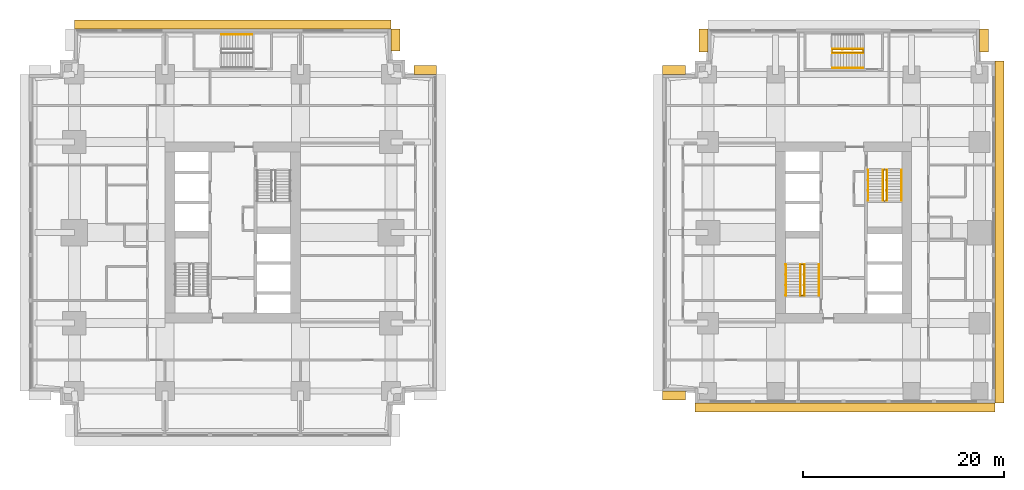
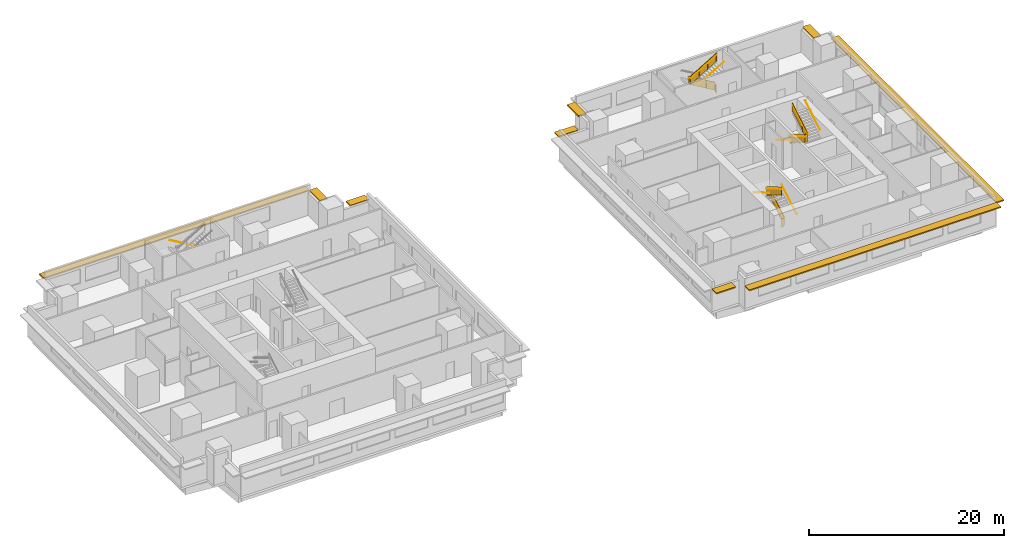
# One storey, part 10 of 11: 15 railings, 9 shading devices.
"""IFC4 building model written with IfcOpenShell, lengths in metres."""

from ifc_helpers import new_model, si_unit, direction, frame, origin, origin_2d, place, context, subcontext, project, spatial, polyline, rectangle, circle, outline, extrude, material, layer, layer_set, type_object, element, save


model = new_model("IFC4")

# Units and contexts
model_context = context("Model", 3, precision=1e-05, world=origin(), true_north=direction((0.0, 1.0)))
body_context = subcontext(model_context, "Body", "Model", "MODEL_VIEW")
ifc_project = project(units=[si_unit("LENGTHUNIT", "METRE"), si_unit("AREAUNIT", "SQUARE_METRE"), si_unit("VOLUMEUNIT", "CUBIC_METRE"), si_unit("PLANEANGLEUNIT", "RADIAN"), si_unit("MASSUNIT", "GRAM", prefix="KILO")], contexts=[model_context])

# Site, building, storey
site_placement = place(None, origin())
site = spatial("IfcSite", under=ifc_project, at=site_placement, CompositionType="ELEMENT")
building_placement = place(site_placement, origin())
building = spatial("IfcBuilding", under=site, at=building_placement, Name="Namib Vertical Campus", CompositionType="ELEMENT")
storey_placement = place(building_placement, frame((0.0, 0.0, 89.0)))
storey = spatial("IfcBuildingStorey", under=building, at=storey_placement, Name="L20", CompositionType="ELEMENT", Elevation=89.0)

# Railings
ifc_material_1 = material(Name="Steel handrail", Category="steel")
railing_type_1 = type_object("IfcRailingType", Name="Handrail 900", PredefinedType="HANDRAIL", material=ifc_material_1)
railing_1_placement = place(storey_placement, frame((78.550048828125, 14.0, 0.166748046875)))
element("IfcRailing", 1, at=railing_1_placement, inside=storey, type_object=railing_type_1, Name="Handrail HR1 B-S1 L20 1", PredefinedType="HANDRAIL", context=body_context, shape_type="SweptSolid", body=[
    extrude(circle(Radius=0.02392578125, at=origin_2d()), frame((0.0, 0.0, 0.8759765625), z_axis=(0.0, 0.859308565015, 0.511457515432), x_axis=(-1.0, 0.0, 0.0)), (0.0, 0.0, 1.0), 3.58447265625),
    extrude(circle(Radius=0.008056640625, at=origin_2d()), frame((0.0, 0.0, 0.8759765625), z_axis=(1.0, 0.0, 0.0), x_axis=(0.0, 0.0, 1.0)), (0.0, 0.0, 1.0), 0.050048828125),
    extrude(circle(Radius=0.008056640625, at=origin_2d()), frame((0.0, 1.026611328125, 1.48681640625), z_axis=(1.0, 0.0, 0.0), x_axis=(0.0, 0.0, 1.0)), (0.0, 0.0, 1.0), 0.050048828125),
    extrude(circle(Radius=0.008056640625, at=origin_2d()), frame((0.0, 2.053466796875, 2.09814453125), z_axis=(1.0, 0.0, 0.0), x_axis=(0.0, 0.0, 1.0)), (0.0, 0.0, 1.0), 0.050048828125),
    extrude(circle(Radius=0.008056640625, at=origin_2d()), frame((0.0, 3.080078125, 2.708984375), z_axis=(1.0, 0.0, 0.0), x_axis=(0.0, 0.0, 1.0)), (0.0, 0.0, 1.0), 0.050048828125),
])
railing_2_placement = place(storey_placement, frame((75.25, 17.080078125, 2.166748046875)))
element("IfcRailing", 2, at=railing_2_placement, inside=storey, type_object=railing_type_1, Name="Handrail HR1 B-S1 L20 2", PredefinedType="HANDRAIL", context=body_context, shape_type="SweptSolid", body=[
    extrude(circle(Radius=0.02392578125, at=origin_2d()), frame((0.0, 0.0, 0.8759765625), z_axis=(0.0, -0.859308565015, 0.511457515432), x_axis=(1.0, 0.0, 0.0)), (0.0, 0.0, 1.0), 3.58447265625),
    extrude(circle(Radius=0.008056640625, at=origin_2d()), frame((0.0, 0.0, 0.8759765625), z_axis=(-1.0, 0.0, 0.0), x_axis=(0.0, 0.0, 1.0)), (0.0, 0.0, 1.0), 0.050048828125),
    extrude(circle(Radius=0.008056640625, at=origin_2d()), frame((0.0, -1.026611328125, 1.48681640625), z_axis=(-1.0, 0.0, 0.0), x_axis=(0.0, 0.0, 1.0)), (0.0, 0.0, 1.0), 0.050048828125),
    extrude(circle(Radius=0.008056640625, at=origin_2d()), frame((0.0, -2.053466796875, 2.09814453125), z_axis=(-1.0, 0.0, 0.0), x_axis=(0.0, 0.0, 1.0)), (0.0, 0.0, 1.0), 0.050048828125),
    extrude(circle(Radius=0.008056640625, at=origin_2d()), frame((0.0, -3.080078125, 2.708984375), z_axis=(-1.0, 0.0, 0.0), x_axis=(0.0, 0.0, 1.0)), (0.0, 0.0, 1.0), 0.050048828125),
])
railing_3_placement = place(storey_placement, frame((77.10009765625, 14.0, 0.166748046875)))
element("IfcRailing", 3, at=railing_3_placement, inside=storey, type_object=railing_type_1, Name="Handrail HR1 B-S1 L20 1 at the well", PredefinedType="HANDRAIL", context=body_context, shape_type="SweptSolid", body=[
    extrude(circle(Radius=0.02392578125, at=origin_2d()), frame((0.0, 0.0, 0.8759765625), z_axis=(0.0, 0.859308565015, 0.511457515432), x_axis=(-1.0, 0.0, 0.0)), (0.0, 0.0, 1.0), 3.58447265625),
    extrude(circle(Radius=0.008056640625, at=origin_2d()), frame((0.0, 0.0, 0.8759765625), z_axis=(-1.0, 0.0, 0.0), x_axis=(0.0, 0.0, 1.0)), (0.0, 0.0, 1.0), 0.0400390625),
    extrude(circle(Radius=0.008056640625, at=origin_2d()), frame((0.0, 1.026611328125, 1.48681640625), z_axis=(-1.0, 0.0, 0.0), x_axis=(0.0, 0.0, 1.0)), (0.0, 0.0, 1.0), 0.0400390625),
    extrude(circle(Radius=0.008056640625, at=origin_2d()), frame((0.0, 2.053466796875, 2.09814453125), z_axis=(-1.0, 0.0, 0.0), x_axis=(0.0, 0.0, 1.0)), (0.0, 0.0, 1.0), 0.0400390625),
    extrude(circle(Radius=0.008056640625, at=origin_2d()), frame((0.0, 3.080078125, 2.708984375), z_axis=(-1.0, 0.0, 0.0), x_axis=(0.0, 0.0, 1.0)), (0.0, 0.0, 1.0), 0.0400390625),
])
railing_4_placement = place(storey_placement, frame((76.699951171875, 17.080078125, 2.166748046875)))
element("IfcRailing", 4, at=railing_4_placement, inside=storey, type_object=railing_type_1, Name="Handrail HR1 B-S1 L20 2 at the well", PredefinedType="HANDRAIL", context=body_context, shape_type="SweptSolid", body=[
    extrude(circle(Radius=0.02392578125, at=origin_2d()), frame((0.0, 0.0, 0.8759765625), z_axis=(0.0, -0.859308565015, 0.511457515432), x_axis=(1.0, 0.0, 0.0)), (0.0, 0.0, 1.0), 3.58447265625),
    extrude(circle(Radius=0.008056640625, at=origin_2d()), frame((0.0, 0.0, 0.8759765625), z_axis=(1.0, 0.0, 0.0), x_axis=(0.0, 0.0, 1.0)), (0.0, 0.0, 1.0), 0.0400390625),
    extrude(circle(Radius=0.008056640625, at=origin_2d()), frame((0.0, -1.026611328125, 1.48681640625), z_axis=(1.0, 0.0, 0.0), x_axis=(0.0, 0.0, 1.0)), (0.0, 0.0, 1.0), 0.0400390625),
    extrude(circle(Radius=0.008056640625, at=origin_2d()), frame((0.0, -2.053466796875, 2.09814453125), z_axis=(1.0, 0.0, 0.0), x_axis=(0.0, 0.0, 1.0)), (0.0, 0.0, 1.0), 0.0400390625),
    extrude(circle(Radius=0.008056640625, at=origin_2d()), frame((0.0, -3.080078125, 2.708984375), z_axis=(1.0, 0.0, 0.0), x_axis=(0.0, 0.0, 1.0)), (0.0, 0.0, 1.0), 0.0400390625),
])
railing_5_placement = place(storey_placement, frame((83.449951171875, 26.5, 0.166748046875)))
element("IfcRailing", 5, at=railing_5_placement, inside=storey, type_object=railing_type_1, Name="Handrail HR1 B-S2 L20 1", PredefinedType="HANDRAIL", context=body_context, shape_type="SweptSolid", body=[
    extrude(circle(Radius=0.02392578125, at=origin_2d()), frame((0.0, 0.0, 0.8759765625), z_axis=(0.0, -0.859308565015, 0.511457515432), x_axis=(1.0, 0.0, 0.0)), (0.0, 0.0, 1.0), 3.58447265625),
    extrude(circle(Radius=0.008056640625, at=origin_2d()), frame((0.0, 0.0, 0.8759765625), z_axis=(-1.0, 0.0, 0.0), x_axis=(0.0, 0.0, 1.0)), (0.0, 0.0, 1.0), 0.050048828125),
    extrude(circle(Radius=0.008056640625, at=origin_2d()), frame((0.0, -1.026611328125, 1.48681640625), z_axis=(-1.0, 0.0, 0.0), x_axis=(0.0, 0.0, 1.0)), (0.0, 0.0, 1.0), 0.050048828125),
    extrude(circle(Radius=0.008056640625, at=origin_2d()), frame((0.0, -2.053466796875, 2.09814453125), z_axis=(-1.0, 0.0, 0.0), x_axis=(0.0, 0.0, 1.0)), (0.0, 0.0, 1.0), 0.050048828125),
    extrude(circle(Radius=0.008056640625, at=origin_2d()), frame((0.0, -3.080078125, 2.708984375), z_axis=(-1.0, 0.0, 0.0), x_axis=(0.0, 0.0, 1.0)), (0.0, 0.0, 1.0), 0.050048828125),
])
railing_6_placement = place(storey_placement, frame((86.75, 23.419921875, 2.166748046875)))
element("IfcRailing", 6, at=railing_6_placement, inside=storey, type_object=railing_type_1, Name="Handrail HR1 B-S2 L20 2", PredefinedType="HANDRAIL", context=body_context, shape_type="SweptSolid", body=[
    extrude(circle(Radius=0.02392578125, at=origin_2d()), frame((0.0, 0.0, 0.8759765625), z_axis=(0.0, 0.859308565015, 0.511457515432), x_axis=(-1.0, 0.0, 0.0)), (0.0, 0.0, 1.0), 3.58447265625),
    extrude(circle(Radius=0.008056640625, at=origin_2d()), frame((0.0, 0.0, 0.8759765625), z_axis=(1.0, 0.0, 0.0), x_axis=(0.0, 0.0, 1.0)), (0.0, 0.0, 1.0), 0.050048828125),
    extrude(circle(Radius=0.008056640625, at=origin_2d()), frame((0.0, 1.026611328125, 1.48681640625), z_axis=(1.0, 0.0, 0.0), x_axis=(0.0, 0.0, 1.0)), (0.0, 0.0, 1.0), 0.050048828125),
    extrude(circle(Radius=0.008056640625, at=origin_2d()), frame((0.0, 2.053466796875, 2.09814453125), z_axis=(1.0, 0.0, 0.0), x_axis=(0.0, 0.0, 1.0)), (0.0, 0.0, 1.0), 0.050048828125),
    extrude(circle(Radius=0.008056640625, at=origin_2d()), frame((0.0, 3.080078125, 2.708984375), z_axis=(1.0, 0.0, 0.0), x_axis=(0.0, 0.0, 1.0)), (0.0, 0.0, 1.0), 0.050048828125),
])
railing_7_placement = place(storey_placement, frame((84.89990234375, 26.5, 0.166748046875)))
element("IfcRailing", 7, at=railing_7_placement, inside=storey, type_object=railing_type_1, Name="Handrail HR1 B-S2 L20 1 at the well", PredefinedType="HANDRAIL", context=body_context, shape_type="SweptSolid", body=[
    extrude(circle(Radius=0.02392578125, at=origin_2d()), frame((0.0, 0.0, 0.8759765625), z_axis=(0.0, -0.859308565015, 0.511457515432), x_axis=(1.0, 0.0, 0.0)), (0.0, 0.0, 1.0), 3.58447265625),
    extrude(circle(Radius=0.008056640625, at=origin_2d()), frame((0.0, 0.0, 0.8759765625), z_axis=(1.0, 0.0, 0.0), x_axis=(0.0, 0.0, 1.0)), (0.0, 0.0, 1.0), 0.0400390625),
    extrude(circle(Radius=0.008056640625, at=origin_2d()), frame((0.0, -1.026611328125, 1.48681640625), z_axis=(1.0, 0.0, 0.0), x_axis=(0.0, 0.0, 1.0)), (0.0, 0.0, 1.0), 0.0400390625),
    extrude(circle(Radius=0.008056640625, at=origin_2d()), frame((0.0, -2.053466796875, 2.09814453125), z_axis=(1.0, 0.0, 0.0), x_axis=(0.0, 0.0, 1.0)), (0.0, 0.0, 1.0), 0.0400390625),
    extrude(circle(Radius=0.008056640625, at=origin_2d()), frame((0.0, -3.080078125, 2.708984375), z_axis=(1.0, 0.0, 0.0), x_axis=(0.0, 0.0, 1.0)), (0.0, 0.0, 1.0), 0.0400390625),
])
railing_8_placement = place(storey_placement, frame((85.300048828125, 23.419921875, 2.166748046875)))
element("IfcRailing", 8, at=railing_8_placement, inside=storey, type_object=railing_type_1, Name="Handrail HR1 B-S2 L20 2 at the well", PredefinedType="HANDRAIL", context=body_context, shape_type="SweptSolid", body=[
    extrude(circle(Radius=0.02392578125, at=origin_2d()), frame((0.0, 0.0, 0.8759765625), z_axis=(0.0, 0.859308565015, 0.511457515432), x_axis=(-1.0, 0.0, 0.0)), (0.0, 0.0, 1.0), 3.58447265625),
    extrude(circle(Radius=0.008056640625, at=origin_2d()), frame((0.0, 0.0, 0.8759765625), z_axis=(-1.0, 0.0, 0.0), x_axis=(0.0, 0.0, 1.0)), (0.0, 0.0, 1.0), 0.0400390625),
    extrude(circle(Radius=0.008056640625, at=origin_2d()), frame((0.0, 1.026611328125, 1.48681640625), z_axis=(-1.0, 0.0, 0.0), x_axis=(0.0, 0.0, 1.0)), (0.0, 0.0, 1.0), 0.0400390625),
    extrude(circle(Radius=0.008056640625, at=origin_2d()), frame((0.0, 2.053466796875, 2.09814453125), z_axis=(-1.0, 0.0, 0.0), x_axis=(0.0, 0.0, 1.0)), (0.0, 0.0, 1.0), 0.0400390625),
    extrude(circle(Radius=0.008056640625, at=origin_2d()), frame((0.0, 3.080078125, 2.708984375), z_axis=(-1.0, 0.0, 0.0), x_axis=(0.0, 0.0, 1.0)), (0.0, 0.0, 1.0), 0.0400390625),
])
railing_9_placement = place(storey_placement, frame((22.199951171875, 39.949951171875, 0.166748046875)))
element("IfcRailing", 9, at=railing_9_placement, inside=storey, type_object=railing_type_1, Name="Handrail HR1 A-S3 L20 1", PredefinedType="HANDRAIL", context=body_context, shape_type="SweptSolid", body=[
    extrude(circle(Radius=0.02392578125, at=origin_2d()), frame((0.0, 0.0, 0.8759765625), z_axis=(-0.859290745958, 0.0, 0.51148745235), x_axis=(0.0, -1.0, 0.0)), (0.0, 0.0, 1.0), 3.584228515625),
    extrude(circle(Radius=0.008056640625, at=origin_2d()), frame((0.0, 0.0, 0.8759765625), z_axis=(0.0, 1.0, 0.0), x_axis=(0.0, 0.0, 1.0)), (0.0, 0.0, 1.0), 0.050048828125),
    extrude(circle(Radius=0.008056640625, at=origin_2d()), frame((-1.026611328125, 0.0, 1.48681640625), z_axis=(0.0, 1.0, 0.0), x_axis=(0.0, 0.0, 1.0)), (0.0, 0.0, 1.0), 0.050048828125),
    extrude(circle(Radius=0.008056640625, at=origin_2d()), frame((-2.05322265625, 0.0, 2.09814453125), z_axis=(0.0, 1.0, 0.0), x_axis=(0.0, 0.0, 1.0)), (0.0, 0.0, 1.0), 0.050048828125),
    extrude(circle(Radius=0.008056640625, at=origin_2d()), frame((-3.079833984375, 0.0, 2.708984375), z_axis=(0.0, 1.0, 0.0), x_axis=(0.0, 0.0, 1.0)), (0.0, 0.0, 1.0), 0.050048828125),
])
railing_10_placement = place(storey_placement, frame((79.8701171875, 36.64990234375, 2.166748046875)))
element("IfcRailing", 10, at=railing_10_placement, inside=storey, type_object=railing_type_1, Name="Handrail HR1 B-S3 L20 2", PredefinedType="HANDRAIL", context=body_context, shape_type="SweptSolid", body=[
    extrude(circle(Radius=0.02392578125, at=origin_2d()), frame((0.0, 0.0, 0.8759765625), z_axis=(0.859290745958, 0.0, 0.51148745235), x_axis=(0.0, 1.0, 0.0)), (0.0, 0.0, 1.0), 3.584228515625),
    extrude(circle(Radius=0.008056640625, at=origin_2d()), frame((0.0, 0.0, 0.8759765625), z_axis=(0.0, -1.0, 0.0), x_axis=(0.0, 0.0, 1.0)), (0.0, 0.0, 1.0), 0.050048828125),
    extrude(circle(Radius=0.008056640625, at=origin_2d()), frame((1.026611328125, 0.0, 1.48681640625), z_axis=(0.0, -1.0, 0.0), x_axis=(0.0, 0.0, 1.0)), (0.0, 0.0, 1.0), 0.050048828125),
    extrude(circle(Radius=0.008056640625, at=origin_2d()), frame((2.05322265625, 0.0, 2.09814453125), z_axis=(0.0, -1.0, 0.0), x_axis=(0.0, 0.0, 1.0)), (0.0, 0.0, 1.0), 0.050048828125),
    extrude(circle(Radius=0.008056640625, at=origin_2d()), frame((3.079833984375, 0.0, 2.708984375), z_axis=(0.0, -1.0, 0.0), x_axis=(0.0, 0.0, 1.0)), (0.0, 0.0, 1.0), 0.050048828125),
])
railing_11_placement = place(storey_placement, frame((82.949951171875, 38.5, 0.166748046875)))
element("IfcRailing", 11, at=railing_11_placement, inside=storey, type_object=railing_type_1, Name="Handrail HR1 B-S3 L20 1 at the well", PredefinedType="HANDRAIL", context=body_context, shape_type="SweptSolid", body=[
    extrude(circle(Radius=0.02392578125, at=origin_2d()), frame((0.0, 0.0, 0.8759765625), z_axis=(-0.859290745958, 0.0, 0.51148745235), x_axis=(0.0, -1.0, 0.0)), (0.0, 0.0, 1.0), 3.584228515625),
    extrude(circle(Radius=0.008056640625, at=origin_2d()), frame((0.0, 0.0, 0.8759765625), z_axis=(0.0, -1.0, 0.0), x_axis=(0.0, 0.0, 1.0)), (0.0, 0.0, 1.0), 0.0400390625),
    extrude(circle(Radius=0.008056640625, at=origin_2d()), frame((-1.026611328125, 0.0, 1.48681640625), z_axis=(0.0, -1.0, 0.0), x_axis=(0.0, 0.0, 1.0)), (0.0, 0.0, 1.0), 0.0400390625),
    extrude(circle(Radius=0.008056640625, at=origin_2d()), frame((-2.05322265625, 0.0, 2.09814453125), z_axis=(0.0, -1.0, 0.0), x_axis=(0.0, 0.0, 1.0)), (0.0, 0.0, 1.0), 0.0400390625),
    extrude(circle(Radius=0.008056640625, at=origin_2d()), frame((-3.079833984375, 0.0, 2.708984375), z_axis=(0.0, -1.0, 0.0), x_axis=(0.0, 0.0, 1.0)), (0.0, 0.0, 1.0), 0.0400390625),
])
railing_12_placement = place(storey_placement, frame((79.8701171875, 38.10009765625, 2.166748046875)))
element("IfcRailing", 12, at=railing_12_placement, inside=storey, type_object=railing_type_1, Name="Handrail HR1 B-S3 L20 2 at the well", PredefinedType="HANDRAIL", context=body_context, shape_type="SweptSolid", body=[
    extrude(circle(Radius=0.02392578125, at=origin_2d()), frame((0.0, 0.0, 0.8759765625), z_axis=(0.859290745958, 0.0, 0.51148745235), x_axis=(0.0, 1.0, 0.0)), (0.0, 0.0, 1.0), 3.584228515625),
    extrude(circle(Radius=0.008056640625, at=origin_2d()), frame((0.0, 0.0, 0.8759765625), z_axis=(0.0, 1.0, 0.0), x_axis=(0.0, 0.0, 1.0)), (0.0, 0.0, 1.0), 0.0400390625),
    extrude(circle(Radius=0.008056640625, at=origin_2d()), frame((1.026611328125, 0.0, 1.48681640625), z_axis=(0.0, 1.0, 0.0), x_axis=(0.0, 0.0, 1.0)), (0.0, 0.0, 1.0), 0.0400390625),
    extrude(circle(Radius=0.008056640625, at=origin_2d()), frame((2.05322265625, 0.0, 2.09814453125), z_axis=(0.0, 1.0, 0.0), x_axis=(0.0, 0.0, 1.0)), (0.0, 0.0, 1.0), 0.0400390625),
    extrude(circle(Radius=0.008056640625, at=origin_2d()), frame((3.079833984375, 0.0, 2.708984375), z_axis=(0.0, 1.0, 0.0), x_axis=(0.0, 0.0, 1.0)), (0.0, 0.0, 1.0), 0.0400390625),
])
ifc_material_2 = material(Name="Steel balustrade", Category="steel")
railing_type_2 = type_object("IfcRailingType", Name="Stair guard 1100", PredefinedType="GUARDRAIL", material=ifc_material_2)
railing_13_placement = place(storey_placement, frame((76.75, 14.0, 0.0)))
element("IfcRailing", 13, at=railing_13_placement, inside=storey, type_object=railing_type_2, Name="Stair guard GR1 B-S1 L20", PredefinedType="GUARDRAIL", context=body_context, shape_type="SweptSolid", body=[
    extrude(circle(Radius=0.02392578125, at=origin_2d()), frame((0.0, 0.0, 1.076171875), z_axis=(1.0, 0.0, 0.0), x_axis=(0.0, 1.0, 0.0)), (0.0, 0.0, 1.0), 0.300048828125),
    extrude(outline(polyline([(0.02099609375, 0.050048828125), (0.279052734375, 0.050048828125), (0.279052734375, 1.052001953125), (0.02099609375, 1.052001953125), (0.02099609375, 0.050048828125)])), frame((0.0, 0.010009765625, 0.0), z_axis=(0.0, -1.0, 0.0), x_axis=(1.0, 0.0, 0.0)), (0.0, 0.0, 1.0), 0.02001953125),
    extrude(circle(Radius=0.02392578125, at=origin_2d()), frame((0.300048828125, 0.0, 1.076171875), z_axis=(0.0, 0.0, 1.0), x_axis=(1.0, 0.0, 0.0)), (0.0, 0.0, 1.0), 0.166748046875),
    extrude(circle(Radius=0.02392578125, at=origin_2d()), frame((0.300048828125, 0.0, 1.24267578125), z_axis=(0.0, 0.859308565015, 0.511457515432), x_axis=(-1.0, 0.0, 0.0)), (0.0, 0.0, 1.0), 3.58447265625),
    extrude(outline(polyline([(0.02099609375, 0.0625), (3.05908203125, 1.870849609375), (3.05908203125, 2.872802734375), (0.02099609375, 1.064453125), (0.02099609375, 0.0625)])), frame((0.2900390625, 0.0, 0.166748046875), z_axis=(1.0, 0.0, 0.0), x_axis=(0.0, 1.0, 0.0)), (0.0, 0.0, 1.0), 0.02001953125),
    extrude(circle(Radius=0.02392578125, at=origin_2d()), frame((0.300048828125, 3.080078125, 3.076171875), z_axis=(-1.0, 0.0, 0.0), x_axis=(0.0, -1.0, 0.0)), (0.0, 0.0, 1.0), 0.300048828125),
    extrude(outline(polyline([(0.02099609375, 0.050048828125), (0.279052734375, 0.050048828125), (0.279052734375, 1.052001953125), (0.02099609375, 1.052001953125), (0.02099609375, 0.050048828125)])), frame((0.300048828125, 3.070068359375, 2.0), z_axis=(0.0, 1.0, 0.0), x_axis=(-1.0, 0.0, 0.0)), (0.0, 0.0, 1.0), 0.02001953125),
    extrude(circle(Radius=0.02392578125, at=origin_2d()), frame((0.0, 3.080078125, 3.076171875), z_axis=(0.0, 0.0, 1.0), x_axis=(1.0, 0.0, 0.0)), (0.0, 0.0, 1.0), 0.166748046875),
    extrude(circle(Radius=0.02392578125, at=origin_2d()), frame((0.0, 3.080078125, 3.24267578125), z_axis=(0.0, -0.859308565015, 0.511457515432), x_axis=(1.0, 0.0, 0.0)), (0.0, 0.0, 1.0), 3.58447265625),
    extrude(outline(polyline([(0.02099609375, 0.0625), (3.05908203125, 1.870849609375), (3.05908203125, 2.872802734375), (0.02099609375, 1.064453125), (0.02099609375, 0.0625)])), frame((0.010009765625, 3.080078125, 2.166748046875), z_axis=(-1.0, 0.0, 0.0), x_axis=(0.0, -1.0, 0.0)), (0.0, 0.0, 1.0), 0.02001953125),
    extrude(circle(Radius=0.02392578125, at=origin_2d()), frame((0.0, 0.0, 5.076171875), z_axis=(0.0, -1.0, 0.0), x_axis=(1.0, 0.0, 0.0)), (0.0, 0.0, 1.0), 0.050048828125),
    extrude(outline(polyline([(0.02099609375, 0.050048828125), (0.029052734375, 0.050048828125), (0.029052734375, 1.052001953125), (0.02099609375, 1.052001953125), (0.02099609375, 0.050048828125)])), frame((0.010009765625, 0.0, 4.0), z_axis=(-1.0, 0.0, 0.0), x_axis=(0.0, -1.0, 0.0)), (0.0, 0.0, 1.0), 0.02001953125),
    extrude(circle(Radius=0.02099609375, at=origin_2d()), origin(), (0.0, 0.0, 1.0), 1.052001953125),
    extrude(circle(Radius=0.02099609375, at=origin_2d()), frame((0.300048828125, 0.0, 0.166748046875)), (0.0, 0.0, 1.0), 1.052001953125),
    extrude(circle(Radius=0.02099609375, at=origin_2d()), frame((0.300048828125, 1.026611328125, 0.666748046875)), (0.0, 0.0, 1.0), 1.1630859375),
    extrude(circle(Radius=0.02099609375, at=origin_2d()), frame((0.300048828125, 2.053466796875, 1.33349609375)), (0.0, 0.0, 1.0), 1.107421875),
    extrude(circle(Radius=0.02099609375, at=origin_2d()), frame((0.300048828125, 3.080078125, 2.0)), (0.0, 0.0, 1.0), 1.052001953125),
    extrude(circle(Radius=0.02099609375, at=origin_2d()), frame((0.0, 3.080078125, 2.166748046875)), (0.0, 0.0, 1.0), 1.052001953125),
    extrude(circle(Radius=0.02099609375, at=origin_2d()), frame((0.0, 2.053466796875, 2.666748046875)), (0.0, 0.0, 1.0), 1.1630859375),
    extrude(circle(Radius=0.02099609375, at=origin_2d()), frame((0.0, 1.026611328125, 3.33349609375)), (0.0, 0.0, 1.0), 1.107421875),
    extrude(circle(Radius=0.02099609375, at=origin_2d()), frame((0.0, 0.0, 4.0)), (0.0, 0.0, 1.0), 1.052001953125),
    extrude(circle(Radius=0.02099609375, at=origin_2d()), frame((0.0, -0.050048828125, 4.0)), (0.0, 0.0, 1.0), 1.052001953125),
])
railing_14_placement = place(storey_placement, frame((85.25, 26.5, 0.0)))
element("IfcRailing", 14, at=railing_14_placement, inside=storey, type_object=railing_type_2, Name="Stair guard GR1 B-S2 L20", PredefinedType="GUARDRAIL", context=body_context, shape_type="SweptSolid", body=[
    extrude(circle(Radius=0.02392578125, at=origin_2d()), frame((0.0, 0.0, 1.076171875), z_axis=(-1.0, 0.0, 0.0), x_axis=(0.0, -1.0, 0.0)), (0.0, 0.0, 1.0), 0.300048828125),
    extrude(outline(polyline([(0.02099609375, 0.050048828125), (0.279052734375, 0.050048828125), (0.279052734375, 1.052001953125), (0.02099609375, 1.052001953125), (0.02099609375, 0.050048828125)])), frame((0.0, -0.010009765625, 0.0), z_axis=(0.0, 1.0, 0.0), x_axis=(-1.0, 0.0, 0.0)), (0.0, 0.0, 1.0), 0.02001953125),
    extrude(circle(Radius=0.02392578125, at=origin_2d()), frame((-0.300048828125, 0.0, 1.076171875), z_axis=(0.0, 0.0, 1.0), x_axis=(1.0, 0.0, 0.0)), (0.0, 0.0, 1.0), 0.166748046875),
    extrude(circle(Radius=0.02392578125, at=origin_2d()), frame((-0.300048828125, 0.0, 1.24267578125), z_axis=(0.0, -0.859308565015, 0.511457515432), x_axis=(1.0, 0.0, 0.0)), (0.0, 0.0, 1.0), 3.58447265625),
    extrude(outline(polyline([(0.02099609375, 0.0625), (3.05908203125, 1.870849609375), (3.05908203125, 2.872802734375), (0.02099609375, 1.064453125), (0.02099609375, 0.0625)])), frame((-0.2900390625, 0.0, 0.166748046875), z_axis=(-1.0, 0.0, 0.0), x_axis=(0.0, -1.0, 0.0)), (0.0, 0.0, 1.0), 0.02001953125),
    extrude(circle(Radius=0.02392578125, at=origin_2d()), frame((-0.300048828125, -3.080078125, 3.076171875), z_axis=(1.0, 0.0, 0.0), x_axis=(0.0, 1.0, 0.0)), (0.0, 0.0, 1.0), 0.300048828125),
    extrude(outline(polyline([(0.02099609375, 0.050048828125), (0.279052734375, 0.050048828125), (0.279052734375, 1.052001953125), (0.02099609375, 1.052001953125), (0.02099609375, 0.050048828125)])), frame((-0.300048828125, -3.070068359375, 2.0), z_axis=(0.0, -1.0, 0.0), x_axis=(1.0, 0.0, 0.0)), (0.0, 0.0, 1.0), 0.02001953125),
    extrude(circle(Radius=0.02392578125, at=origin_2d()), frame((0.0, -3.080078125, 3.076171875), z_axis=(0.0, 0.0, 1.0), x_axis=(1.0, 0.0, 0.0)), (0.0, 0.0, 1.0), 0.166748046875),
    extrude(circle(Radius=0.02392578125, at=origin_2d()), frame((0.0, -3.080078125, 3.24267578125), z_axis=(0.0, 0.859308565015, 0.511457515432), x_axis=(-1.0, 0.0, 0.0)), (0.0, 0.0, 1.0), 3.58447265625),
    extrude(outline(polyline([(0.02099609375, 0.0625), (3.05908203125, 1.870849609375), (3.05908203125, 2.872802734375), (0.02099609375, 1.064453125), (0.02099609375, 0.0625)])), frame((-0.010009765625, -3.080078125, 2.166748046875), z_axis=(1.0, 0.0, 0.0), x_axis=(0.0, 1.0, 0.0)), (0.0, 0.0, 1.0), 0.02001953125),
    extrude(circle(Radius=0.02392578125, at=origin_2d()), frame((0.0, 0.0, 5.076171875), z_axis=(0.0, 1.0, 0.0), x_axis=(-1.0, 0.0, 0.0)), (0.0, 0.0, 1.0), 0.050048828125),
    extrude(outline(polyline([(0.02099609375, 0.050048828125), (0.029052734375, 0.050048828125), (0.029052734375, 1.052001953125), (0.02099609375, 1.052001953125), (0.02099609375, 0.050048828125)])), frame((-0.010009765625, 0.0, 4.0), z_axis=(1.0, 0.0, 0.0), x_axis=(0.0, 1.0, 0.0)), (0.0, 0.0, 1.0), 0.02001953125),
    extrude(circle(Radius=0.02099609375, at=origin_2d()), origin(), (0.0, 0.0, 1.0), 1.052001953125),
    extrude(circle(Radius=0.02099609375, at=origin_2d()), frame((-0.300048828125, 0.0, 0.166748046875)), (0.0, 0.0, 1.0), 1.052001953125),
    extrude(circle(Radius=0.02099609375, at=origin_2d()), frame((-0.300048828125, -1.026611328125, 0.666748046875)), (0.0, 0.0, 1.0), 1.1630859375),
    extrude(circle(Radius=0.02099609375, at=origin_2d()), frame((-0.300048828125, -2.053466796875, 1.33349609375)), (0.0, 0.0, 1.0), 1.107421875),
    extrude(circle(Radius=0.02099609375, at=origin_2d()), frame((-0.300048828125, -3.080078125, 2.0)), (0.0, 0.0, 1.0), 1.052001953125),
    extrude(circle(Radius=0.02099609375, at=origin_2d()), frame((0.0, -3.080078125, 2.166748046875)), (0.0, 0.0, 1.0), 1.052001953125),
    extrude(circle(Radius=0.02099609375, at=origin_2d()), frame((0.0, -2.053466796875, 2.666748046875)), (0.0, 0.0, 1.0), 1.1630859375),
    extrude(circle(Radius=0.02099609375, at=origin_2d()), frame((0.0, -1.026611328125, 3.33349609375)), (0.0, 0.0, 1.0), 1.107421875),
    extrude(circle(Radius=0.02099609375, at=origin_2d()), frame((0.0, 0.0, 4.0)), (0.0, 0.0, 1.0), 1.052001953125),
    extrude(circle(Radius=0.02099609375, at=origin_2d()), frame((0.0, 0.050048828125, 4.0)), (0.0, 0.0, 1.0), 1.052001953125),
])
railing_15_placement = place(storey_placement, frame((82.949951171875, 38.14990234375, 0.0)))
element("IfcRailing", 15, at=railing_15_placement, inside=storey, type_object=railing_type_2, Name="Stair guard GR1 B-S3 L20", PredefinedType="GUARDRAIL", context=body_context, shape_type="SweptSolid", body=[
    extrude(circle(Radius=0.02392578125, at=origin_2d()), frame((0.0, 0.0, 1.076171875), z_axis=(0.0, 1.0, 0.0), x_axis=(-1.0, 0.0, 0.0)), (0.0, 0.0, 1.0), 0.300048828125),
    extrude(outline(polyline([(0.02099609375, 0.050048828125), (0.279052734375, 0.050048828125), (0.279052734375, 1.052001953125), (0.02099609375, 1.052001953125), (0.02099609375, 0.050048828125)])), frame((-0.010009765625, 0.0, 0.0), z_axis=(1.0, 0.0, 0.0), x_axis=(0.0, 1.0, 0.0)), (0.0, 0.0, 1.0), 0.02001953125),
    extrude(circle(Radius=0.02392578125, at=origin_2d()), frame((0.0, 0.300048828125, 1.076171875), z_axis=(0.0, 0.0, 1.0), x_axis=(1.0, 0.0, 0.0)), (0.0, 0.0, 1.0), 0.166748046875),
    extrude(circle(Radius=0.02392578125, at=origin_2d()), frame((0.0, 0.300048828125, 1.24267578125), z_axis=(-0.859290745958, 0.0, 0.51148745235), x_axis=(0.0, -1.0, 0.0)), (0.0, 0.0, 1.0), 3.584228515625),
    extrude(outline(polyline([(0.02099609375, 0.0625), (3.058837890625, 1.870849609375), (3.058837890625, 2.872802734375), (0.02099609375, 1.064453125), (0.02099609375, 0.0625)])), frame((0.0, 0.2900390625, 0.166748046875), z_axis=(0.0, 1.0, 0.0), x_axis=(-1.0, 0.0, 0.0)), (0.0, 0.0, 1.0), 0.02001953125),
    extrude(circle(Radius=0.02392578125, at=origin_2d()), frame((-3.079833984375, 0.300048828125, 3.076171875), z_axis=(0.0, -1.0, 0.0), x_axis=(1.0, 0.0, 0.0)), (0.0, 0.0, 1.0), 0.300048828125),
    extrude(outline(polyline([(0.02099609375, 0.050048828125), (0.279052734375, 0.050048828125), (0.279052734375, 1.052001953125), (0.02099609375, 1.052001953125), (0.02099609375, 0.050048828125)])), frame((-3.06982421875, 0.300048828125, 2.0), z_axis=(-1.0, 0.0, 0.0), x_axis=(0.0, -1.0, 0.0)), (0.0, 0.0, 1.0), 0.02001953125),
    extrude(circle(Radius=0.02392578125, at=origin_2d()), frame((-3.079833984375, 0.0, 3.076171875), z_axis=(0.0, 0.0, 1.0), x_axis=(1.0, 0.0, 0.0)), (0.0, 0.0, 1.0), 0.166748046875),
    extrude(circle(Radius=0.02392578125, at=origin_2d()), frame((-3.079833984375, 0.0, 3.24267578125), z_axis=(0.859290745958, 0.0, 0.51148745235), x_axis=(0.0, 1.0, 0.0)), (0.0, 0.0, 1.0), 3.584228515625),
    extrude(outline(polyline([(0.02099609375, 0.0625), (3.058837890625, 1.870849609375), (3.058837890625, 2.872802734375), (0.02099609375, 1.064453125), (0.02099609375, 0.0625)])), frame((-3.079833984375, 0.010009765625, 2.166748046875), z_axis=(0.0, -1.0, 0.0), x_axis=(1.0, 0.0, 0.0)), (0.0, 0.0, 1.0), 0.02001953125),
    extrude(circle(Radius=0.02392578125, at=origin_2d()), frame((0.0, 0.0, 5.076171875), z_axis=(1.0, 0.0, 0.0), x_axis=(0.0, 1.0, 0.0)), (0.0, 0.0, 1.0), 0.050048828125),
    extrude(outline(polyline([(0.02099609375, 0.050048828125), (0.029052734375, 0.050048828125), (0.029052734375, 1.052001953125), (0.02099609375, 1.052001953125), (0.02099609375, 0.050048828125)])), frame((0.0, 0.010009765625, 4.0), z_axis=(0.0, -1.0, 0.0), x_axis=(1.0, 0.0, 0.0)), (0.0, 0.0, 1.0), 0.02001953125),
    extrude(circle(Radius=0.02099609375, at=origin_2d()), origin(), (0.0, 0.0, 1.0), 1.052001953125),
    extrude(circle(Radius=0.02099609375, at=origin_2d()), frame((0.0, 0.300048828125, 0.166748046875)), (0.0, 0.0, 1.0), 1.052001953125),
    extrude(circle(Radius=0.02099609375, at=origin_2d()), frame((-1.026611328125, 0.300048828125, 0.666748046875)), (0.0, 0.0, 1.0), 1.1630859375),
    extrude(circle(Radius=0.02099609375, at=origin_2d()), frame((-2.05322265625, 0.300048828125, 1.33349609375)), (0.0, 0.0, 1.0), 1.107421875),
    extrude(circle(Radius=0.02099609375, at=origin_2d()), frame((-3.079833984375, 0.300048828125, 2.0)), (0.0, 0.0, 1.0), 1.052001953125),
    extrude(circle(Radius=0.02099609375, at=origin_2d()), frame((-3.079833984375, 0.0, 2.166748046875)), (0.0, 0.0, 1.0), 1.052001953125),
    extrude(circle(Radius=0.02099609375, at=origin_2d()), frame((-2.05322265625, 0.0, 2.666748046875)), (0.0, 0.0, 1.0), 1.1630859375),
    extrude(circle(Radius=0.02099609375, at=origin_2d()), frame((-1.026611328125, 0.0, 3.33349609375)), (0.0, 0.0, 1.0), 1.107421875),
    extrude(circle(Radius=0.02099609375, at=origin_2d()), frame((0.0, 0.0, 4.0)), (0.0, 0.0, 1.0), 1.052001953125),
    extrude(circle(Radius=0.02099609375, at=origin_2d()), frame((0.050048828125, 0.0, 4.0)), (0.0, 0.0, 1.0), 1.052001953125),
])

# Shading devices
ifc_material_3 = material(Name="Concrete C40/50 precast", Category="concrete")
ifc_layer = layer(ifc_material_3, 0.14990234375)
ifc_layer_set = layer_set([ifc_layer], Name="Concrete C40/50 precast")
shading_device_type = type_object("IfcShadingDeviceType", Name="Sunshade hood 900", PredefinedType="SHUTTER", material=ifc_layer_set)
for number, where, z_axis, x_axis, name in (
    (16, (39.39990234375, 36.449951171875, 2.75), (0.0, 0.0, 1.0), (-1.0, 0.0, 0.0), "Sunshade SH1 L20 7"),
    (17, (36.449951171875, 39.39990234375, 2.75), (0.0, 0.0, 1.0), (0.0, 1.0, 0.0), "Sunshade SH1 L20 10"),
):
    element("IfcShadingDevice", number, at=place(storey_placement, frame(where, z_axis=z_axis, x_axis=x_axis)), inside=storey, type_object=shading_device_type, Name=name, PredefinedType="SHUTTER", context=body_context, shape_type="SweptSolid", body=[
        extrude(rectangle(XDim=2.199951171875, YDim=0.89990234375, at=origin_2d()), origin(), (0.0, 0.0, 1.0), 0.14990234375),
    ])
shading_device_1_placement = place(storey_placement, frame((20.25, 40.949951171875, 2.75), z_axis=(0.0, 0.0, 1.0), x_axis=(-1.0, 0.0, 0.0)))
element("IfcShadingDevice", 18, at=shading_device_1_placement, inside=storey, type_object=shading_device_type, Name="Sunshade SH1 L20 11", PredefinedType="SHUTTER", context=body_context, shape_type="SweptSolid", body=[
    extrude(rectangle(XDim=31.5, YDim=0.89990234375, at=origin_2d()), origin(), (0.0, 0.0, 1.0), 0.14990234375),
])
shading_device_2_placement = place(storey_placement, frame((64.14990234375, 4.050048828125, 2.75), z_axis=(0.0, 0.0, 1.0), x_axis=(1.0, 0.0, 0.0)))
element("IfcShadingDevice", 19, at=shading_device_2_placement, inside=storey, type_object=shading_device_type, Name="Sunshade SH1 L20 1", PredefinedType="SHUTTER", context=body_context, shape_type="SweptSolid", body=[
    extrude(rectangle(XDim=2.300048828125, YDim=0.89990234375, at=origin_2d()), origin(), (0.0, 0.0, 1.0), 0.14990234375),
])
shading_device_3_placement = place(storey_placement, frame((81.125, 2.85009765625, 2.75), z_axis=(0.0, 0.0, 1.0), x_axis=(1.0, 0.0, 0.0)))
element("IfcShadingDevice", 20, at=shading_device_3_placement, inside=storey, type_object=shading_device_type, Name="Sunshade SH1 L20 3", PredefinedType="SHUTTER", context=body_context, shape_type="SweptSolid", body=[
    extrude(rectangle(XDim=29.85009765625, YDim=0.89990234375, at=origin_2d()), origin(), (0.0, 0.0, 1.0), 0.14990234375),
])
shading_device_4_placement = place(storey_placement, frame((96.5, 20.300048828125, 2.75), z_axis=(0.0, 0.0, 1.0), x_axis=(0.0, 1.0, 0.0)))
element("IfcShadingDevice", 21, at=shading_device_4_placement, inside=storey, type_object=shading_device_type, Name="Sunshade SH1 L20 4", PredefinedType="SHUTTER", context=body_context, shape_type="SweptSolid", body=[
    extrude(rectangle(XDim=34.0, YDim=0.89990234375, at=origin_2d()), origin(), (0.0, 0.0, 1.0), 0.14990234375),
])
for number, where, z_axis, x_axis, name in (
    (22, (94.949951171875, 39.35009765625, 2.75), (0.0, 0.0, 1.0), (0.0, 1.0, 0.0), "Sunshade SH1 L20 6"),
    (23, (67.050048828125, 39.35009765625, 2.75), (0.0, 0.0, 1.0), (0.0, -1.0, 0.0), "Sunshade SH1 L20 8"),
    (24, (64.14990234375, 36.449951171875, 2.75), (0.0, 0.0, 1.0), (-1.0, 0.0, 0.0), "Sunshade SH1 L20 11"),
):
    element("IfcShadingDevice", number, at=place(storey_placement, frame(where, z_axis=z_axis, x_axis=x_axis)), inside=storey, type_object=shading_device_type, Name=name, PredefinedType="SHUTTER", context=body_context, shape_type="SweptSolid", body=[
        extrude(rectangle(XDim=2.300048828125, YDim=0.89990234375, at=origin_2d()), origin(), (0.0, 0.0, 1.0), 0.14990234375),
    ])

save(model, "model.ifc")
